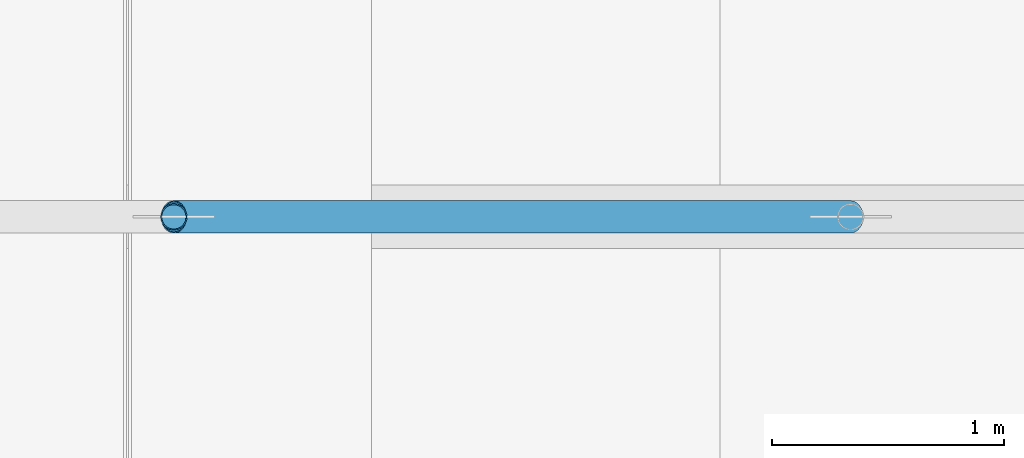
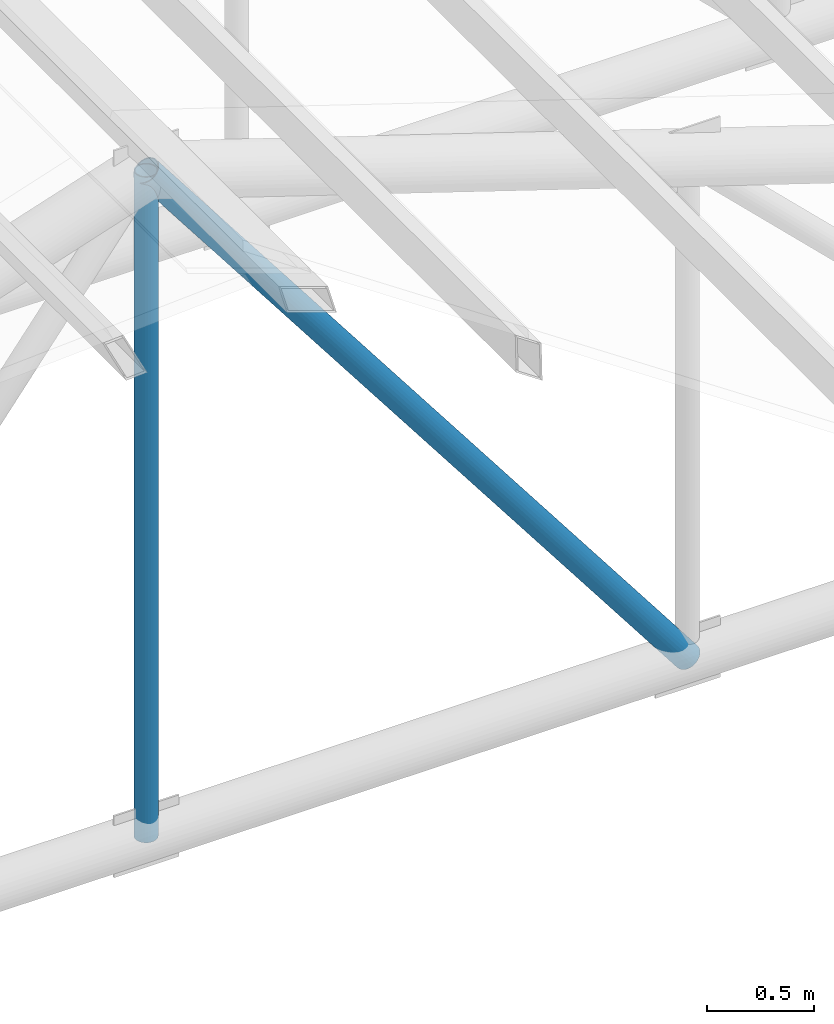
# One storey, part 43 of 95: 2 members.
"""IFC4 building model written with IfcOpenShell, lengths in metres."""

from ifc_helpers import new_model, si_unit, direction, frame, origin, origin_2d, place, context, subcontext, project, spatial, hollow_circle, extrude, material, material_profile, profile_set, type_object, element, save


model = new_model("IFC4")

# Units and contexts
model_context = context("Model", 3, precision=1e-05, world=origin(), true_north=direction((0.0, 1.0)))
body_context = subcontext(model_context, "Body", "Model", "MODEL_VIEW")
ifc_project = project(units=[si_unit("LENGTHUNIT", "METRE"), si_unit("AREAUNIT", "SQUARE_METRE"), si_unit("VOLUMEUNIT", "CUBIC_METRE"), si_unit("PLANEANGLEUNIT", "RADIAN"), si_unit("MASSUNIT", "GRAM", prefix="KILO")], contexts=[model_context])

# Site, building, storey
site_placement = place(None, origin())
site = spatial("IfcSite", under=ifc_project, at=site_placement, CompositionType="ELEMENT")
building_placement = place(site_placement, origin())
building = spatial("IfcBuilding", under=site, at=building_placement, Name="Kiln Court Media Centre", CompositionType="ELEMENT")
storey_placement = place(building_placement, frame((0.0, 0.0, 24.60009765625)))
storey = spatial("IfcBuildingStorey", under=building, at=storey_placement, Name="L05", CompositionType="ELEMENT", Elevation=24.60009765625)

# Members
ifc_material_1 = material(Name="Steel ASTM A500 Gr C", Category="steel")
ifc_material_profile_1 = material_profile(ifc_material_1, hollow_circle(Radius=0.05712890625, WallThickness=0.0048828125, at=origin_2d()), Name="CHS 114.3x5.0")
ifc_profile_set_1 = profile_set([ifc_material_profile_1], Name="Steel ASTM A500 Gr C")
member_type_1 = type_object("IfcMemberType", Name="Steel ASTM A500 Gr C CHS 114.3x5.0 truss web", PredefinedType="BRACE", material=ifc_profile_set_1)
member_1_placement = place(storey_placement, frame((46.39990234375, 54.60009765625, -0.013916015625), z_axis=(0.0, 0.0, 1.0), x_axis=(1.0, 0.0, 0.0)))
element("IfcMember", 1, at=member_1_placement, inside=storey, type_object=member_type_1, Name="foyer truss FT-08 post 4 truss web", PredefinedType="BRACE", context=body_context, shape_type="SweptSolid", body=[
    extrude(hollow_circle(Radius=0.05712890625, WallThickness=0.0048828125, at=origin_2d()), origin(), (0.0, 0.0, 1.0), 3.785400390625),
])
ifc_material_2 = material(Name="Steel ASTM A500 Gr C", Category="steel")
ifc_material_profile_2 = material_profile(ifc_material_2, hollow_circle(Radius=0.06982421875, WallThickness=0.0048828125, at=origin_2d()), Name="CHS 139.7x5.0")
ifc_profile_set_2 = profile_set([ifc_material_profile_2], Name="Steel ASTM A500 Gr C")
member_type_2 = type_object("IfcMemberType", Name="Steel ASTM A500 Gr C CHS 139.7x5.0 truss web", PredefinedType="BRACE", material=ifc_profile_set_2)
member_2_placement = place(storey_placement, frame((46.39990234375, 54.60009765625, 3.771484375), z_axis=(0.609809567012, 0.0, -0.792547974561), x_axis=(0.0, 1.0, 0.0)))
element("IfcMember", 2, at=member_2_placement, inside=storey, type_object=member_type_2, Name="foyer truss FT-08 diagonal 5 truss web", PredefinedType="BRACE", context=body_context, shape_type="SweptSolid", body=[
    extrude(hollow_circle(Radius=0.06982421875, WallThickness=0.0048828125, at=origin_2d()), origin(), (0.0, 0.0, 1.0), 4.776123046875),
])

save(model, "model.ifc")
